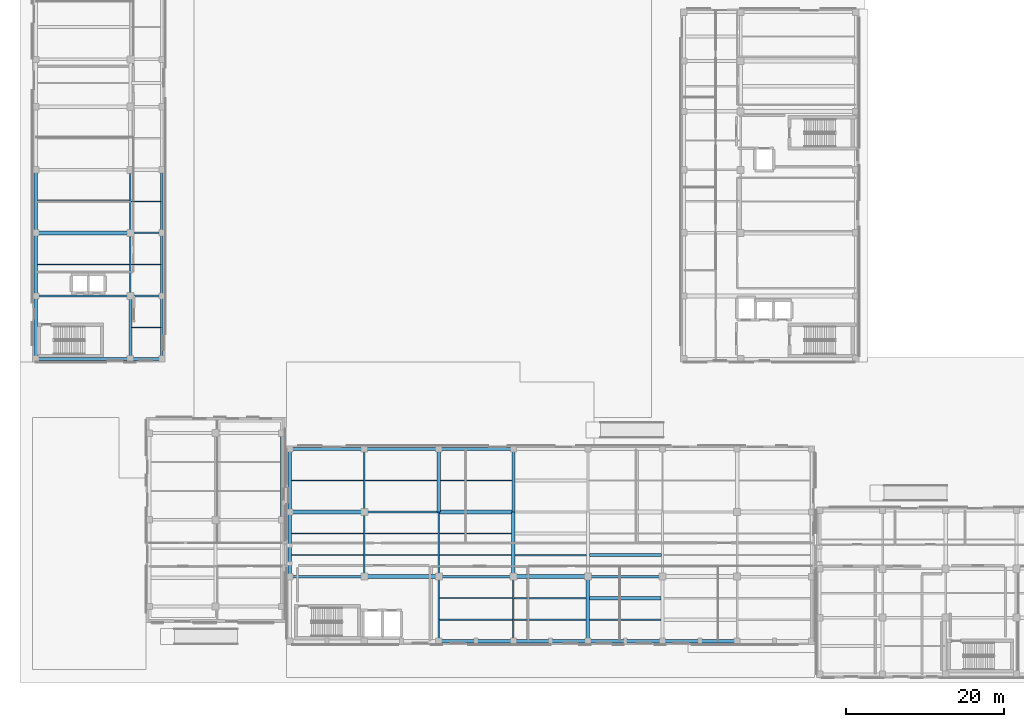
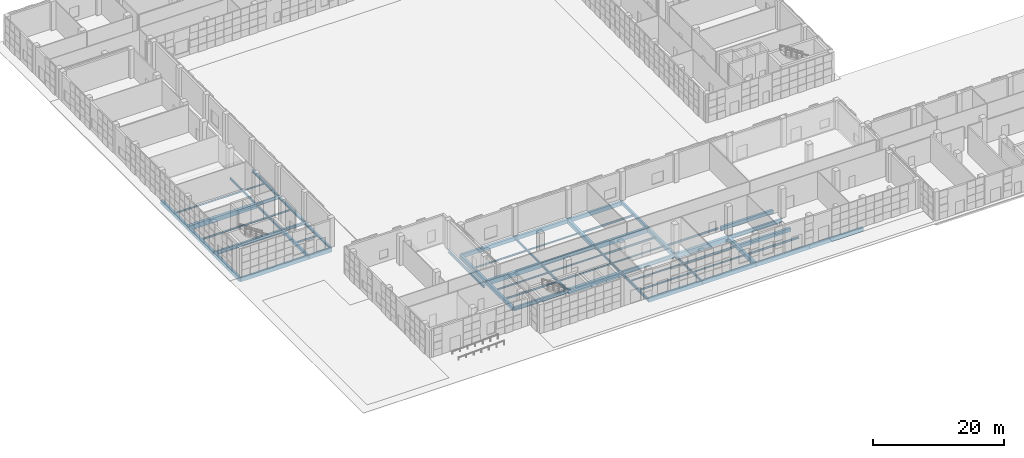
# One storey, part 2 of 40: 64 beams.
"""IFC4 building model written with IfcOpenShell, lengths in metres."""

import ifcopenshell
import ifcopenshell.guid

model = None  # the IFC model being written
_history = None  # IfcOwnerHistory: only IFC2X3 demands one
_inside = {}  # id of a spatial element -> (the spatial element, [elements in it])
_under = {}  # id of a project, library or spatial element -> (it, [spatial elements below it])
_declared = {}  # id of a project -> (the project, [libraries it declares])
_typed = {}  # id of a type object -> (the type object, [elements of that type])
_made_of = {}  # id of a material, layer set ... -> (it, [elements and type objects made of it])


def new_model(schema):
    """Start an empty IFC model of exactly this schema.

    Asked for "IFC4X3", IfcOpenShell would pick the latest addendum, in which some entities
    have other attributes; the version numbers below select the first issue.
    IFC2X3 requires an IfcOwnerHistory on every rooted entity: one is made here for all.
    """
    global model, _history
    if schema == "IFC4X3":
        model = ifcopenshell.file(schema_version=(4, 3, 0, 0))
    else:
        model = ifcopenshell.file(schema=schema)
    _inside.clear()
    _under.clear()
    _declared.clear()
    _typed.clear()
    _made_of.clear()
    _history = None
    if model.schema == "IFC2X3":
        org = make("IfcOrganization", Name="unknown")
        user = make(
            "IfcPersonAndOrganization",
            ThePerson=make("IfcPerson", FamilyName="unknown"),
            TheOrganization=org,
        )
        app = make(
            "IfcApplication",
            ApplicationDeveloper=org,
            Version="unknown",
            ApplicationFullName="unknown",
            ApplicationIdentifier="unknown",
        )
        _history = make(
            "IfcOwnerHistory",
            OwningUser=user,
            OwningApplication=app,
            ChangeAction="ADDED",
            CreationDate=0,
        )
    return model


def make(cls, **values):
    """One entity of the class cls with the attributes given. An attribute that is None is left unset."""
    return model.create_entity(
        cls, **{name: value for name, value in values.items() if value is not None}
    )


def rooted(cls, **values):
    """An entity with a GlobalId (a new one), such as an element, a storey or a relation."""
    return make(cls, GlobalId=ifcopenshell.guid.new(), OwnerHistory=_history, **values)


def si_unit(unit_type, name, prefix=None):
    """IfcSIUnit, for example si_unit("LENGTHUNIT", "METRE", prefix="MILLI")."""
    return make("IfcSIUnit", UnitType=unit_type, Prefix=prefix, Name=name)


def assignment(units):
    """IfcUnitAssignment: the units of a project."""
    return None if units is None else make("IfcUnitAssignment", Units=units)


def point(xyz):
    """IfcCartesianPoint."""
    return None if xyz is None else make("IfcCartesianPoint", Coordinates=xyz)


def direction(xyz):
    """IfcDirection."""
    return None if xyz is None else make("IfcDirection", DirectionRatios=xyz)


def frame(location, z_axis=None, x_axis=None):
    """IfcAxis2Placement3D, a coordinate frame: its origin and axes. An axis left out is left unset."""
    return make(
        "IfcAxis2Placement3D",
        Location=point(location),
        Axis=direction(z_axis),
        RefDirection=direction(x_axis),
    )


def frame_2d(location, x_axis=None):
    """IfcAxis2Placement2D, a coordinate frame in the plane: its origin and x axis."""
    return make(
        "IfcAxis2Placement2D", Location=point(location), RefDirection=direction(x_axis)
    )


def origin():
    """The frame at (0, 0, 0) with its axes left unset."""
    return frame((0.0, 0.0, 0.0))


def origin_2d():
    """The frame at (0, 0) in the plane with its x axis left unset."""
    return frame_2d((0.0, 0.0))


def place(relative_to, where):
    """IfcLocalPlacement: puts the frame where relative to a parent placement (None: the world)."""
    return make(
        "IfcLocalPlacement", PlacementRelTo=relative_to, RelativePlacement=where
    )


def context(
    kind, dimensions, precision=None, world=None, true_north=None, identifier=None
):
    """IfcGeometricRepresentationContext, for example the 3D "Model" context."""
    return make(
        "IfcGeometricRepresentationContext",
        ContextIdentifier=identifier,
        ContextType=kind,
        CoordinateSpaceDimension=dimensions,
        Precision=precision,
        WorldCoordinateSystem=world,
        TrueNorth=true_north,
    )


def subcontext(parent, identifier, kind, view, scale=None):
    """IfcGeometricRepresentationSubContext, for example "Body" below "Model"."""
    return make(
        "IfcGeometricRepresentationSubContext",
        ContextIdentifier=identifier,
        ContextType=kind,
        ParentContext=parent,
        TargetScale=scale,
        TargetView=view,
    )


def project(units=None, contexts=None):
    """IfcProject with its units and contexts."""
    return rooted(
        "IfcProject",
        Name="project",
        RepresentationContexts=contexts,
        UnitsInContext=assignment(units),
    )


def spatial(cls, under=None, at=None, **own):
    """A site, building, storey or space (cls), placed at a placement, below another one or the project."""
    s = rooted(cls, ObjectPlacement=at, **own)
    if under is not None:
        _under.setdefault(under.id(), (under, []))[1].append(s)
    return s


def profile(cls, at=None, kind="AREA", **sizes):
    """A parametric profile (cls). Its sizes go by their IFC names, for example OverallWidth=200.0."""
    return make(cls, ProfileType=kind, Position=at, **sizes)


def rectangle(**sizes):
    """IfcRectangleProfileDef."""
    return profile("IfcRectangleProfileDef", **sizes)


def i_section(**sizes):
    """IfcIShapeProfileDef."""
    return profile("IfcIShapeProfileDef", **sizes)


def extrude(swept, where, along, depth):
    """IfcExtrudedAreaSolid: the profile swept, set in the frame where, extruded along a direction by depth."""
    return make(
        "IfcExtrudedAreaSolid",
        SweptArea=swept,
        Position=where,
        ExtrudedDirection=direction(along),
        Depth=depth,
    )


def shape(context_of_items, identifier, shape_type, items):
    """IfcShapeRepresentation: the items that make up one representation, for example the "Body"."""
    return make(
        "IfcShapeRepresentation",
        ContextOfItems=context_of_items,
        RepresentationIdentifier=identifier,
        RepresentationType=shape_type,
        Items=items,
    )


def material(Name=None, Category=None):
    """IfcMaterial."""
    return make("IfcMaterial", Name=Name, Category=Category)


def material_profile(
    of_material, cross_section, Name=None, Category=None, Priority=None
):
    """IfcMaterialProfile: a cross section and its material."""
    return make(
        "IfcMaterialProfile",
        Name=Name,
        Material=of_material,
        Profile=cross_section,
        Priority=Priority,
        Category=Category,
    )


def profile_set(profiles, Name=None, composite=None):
    """IfcMaterialProfileSet."""
    return make(
        "IfcMaterialProfileSet",
        Name=Name,
        MaterialProfiles=profiles,
        CompositeProfile=composite,
    )


def made_of(thing, what):
    """Note that an element or type object is made of a material, layer set ...; save() writes the relation."""
    if what is not None:
        _made_of.setdefault(what.id(), (what, []))[1].append(thing)
    return thing


def type_object(cls, material=None, **own):
    """A type object (cls), such as IfcWallType, which elements share."""
    return made_of(rooted(cls, **own), material)


def element(
    cls,
    number,
    at=None,
    inside=None,
    cuts=None,
    type_object=None,
    material=None,
    context=None,
    identifier="Body",
    shape_type=None,
    held_by="IfcProductDefinitionShape",
    body=None,
    shapes=None,
    **own,
):
    """One element of the class cls, such as IfcWall. Its Tag is "e" and its number.

    at: its placement. inside: the storey or other place that contains it. cuts: it is an
    opening in that element (IfcRelVoidsElement). A single representation is given by context,
    identifier, shape_type and body (its items); several are given by shapes. held_by: the class
    of the entity that holds the representations. save() writes the other relations.
    """
    e = rooted(cls, Tag="e%d" % number, ObjectPlacement=at, **own)
    if body is not None:
        shapes = [shape(context, identifier, shape_type, body)]
    if shapes is not None:
        e.Representation = make(held_by, Representations=shapes)
    if inside is not None:
        _inside.setdefault(inside.id(), (inside, []))[1].append(e)
    if cuts is not None:
        rooted(
            "IfcRelVoidsElement", RelatingBuildingElement=cuts, RelatedOpeningElement=e
        )
    if type_object is not None:
        _typed.setdefault(type_object.id(), (type_object, []))[1].append(e)
    return made_of(e, material)


def aggregate(whole, parts):
    """IfcRelAggregates: a whole, such as a stair, and the parts it consists of."""
    return rooted("IfcRelAggregates", RelatingObject=whole, RelatedObjects=parts)


def save(model, path):
    """Write the relations noted so far, then the file.

    IfcRelAggregates (storeys below a building ...), IfcRelContainedInSpatialStructure (elements
    in a storey), IfcRelDefinesByType, IfcRelAssociatesMaterial and IfcRelDeclares: one each for
    every whole, place, type object, material and project.
    """
    for whole, parts in _under.values():
        aggregate(whole, parts)
    for where, things in _inside.values():
        rooted(
            "IfcRelContainedInSpatialStructure",
            RelatedElements=things,
            RelatingStructure=where,
        )
    for kind, things in _typed.values():
        rooted("IfcRelDefinesByType", RelatedObjects=things, RelatingType=kind)
    for what, things in _made_of.values():
        rooted("IfcRelAssociatesMaterial", RelatedObjects=things, RelatingMaterial=what)
    for by, libraries in _declared.values():
        rooted("IfcRelDeclares", RelatingContext=by, RelatedDefinitions=libraries)
    model.write(path)


model = new_model("IFC4")

# Units and contexts
model_context = context("Model", 3, precision=1e-05, world=origin(), true_north=direction((0.0, 1.0)))
body_context = subcontext(model_context, "Body", "Model", "MODEL_VIEW")
ifc_project = project(units=[si_unit("LENGTHUNIT", "METRE"), si_unit("AREAUNIT", "SQUARE_METRE"), si_unit("VOLUMEUNIT", "CUBIC_METRE"), si_unit("PLANEANGLEUNIT", "RADIAN"), si_unit("MASSUNIT", "GRAM", prefix="KILO")], contexts=[model_context])

# Site, building, storey
site_placement = place(None, origin())
site = spatial("IfcSite", under=ifc_project, at=site_placement, CompositionType="ELEMENT")
building_placement = place(site_placement, origin())
building = spatial("IfcBuilding", under=site, at=building_placement, Name="Qalavern Law Courts", CompositionType="ELEMENT")
storey_placement = place(building_placement, origin())
storey = spatial("IfcBuildingStorey", under=building, at=storey_placement, Name="L00", CompositionType="ELEMENT", Elevation=0.0)

# Beams
ifc_material_1 = material(Name="Steel S355", Category="steel")
ifc_material_profile_1 = material_profile(ifc_material_1, i_section(OverallWidth=0.300048828125, OverallDepth=0.489990234375, WebThickness=0.011962890625, FlangeThickness=0.02294921875, FilletRadius=0.027099609375, at=origin_2d()), Name="HEA 500")
ifc_profile_set_1 = profile_set([ifc_material_profile_1], Name="Steel S355")
beam_type_1 = type_object("IfcBeamType", Name="STR-BM-HEA500", PredefinedType="BEAM", material=ifc_profile_set_1)
beam_1_placement = place(storey_placement, frame((14.39990234375, 49.39990234375, -0.5849609375), z_axis=(1.0, 0.0, 0.0), x_axis=(0.0, 1.0, 0.0)))
element("IfcBeam", 1, at=beam_1_placement, inside=storey, type_object=beam_type_1, Name="V3 X-beam 2-2 L00", PredefinedType="BEAM", context=body_context, shape_type="SweptSolid", body=[
    extrude(i_section(OverallWidth=0.300048828125, OverallDepth=0.489990234375, WebThickness=0.011962890625, FlangeThickness=0.02294921875, FilletRadius=0.027099609375, at=origin_2d()), origin(), (0.0, 0.0, 1.0), 4.0),
])
ifc_material_profile_2 = material_profile(ifc_material_1, i_section(OverallWidth=0.300048828125, OverallDepth=0.699951171875, WebThickness=0.01708984375, FlangeThickness=0.031982421875, FilletRadius=0.027099609375, at=origin_2d()), Name="HEB 700")
ifc_profile_set_2 = profile_set([ifc_material_profile_2], Name="Steel S355")
beam_type_2 = type_object("IfcBeamType", Name="STR-BM-HEB700", PredefinedType="BEAM", material=ifc_profile_set_2)
beam_2_placement = place(storey_placement, frame((34.6201171875, 13.800048828125, -0.68994140625), z_axis=(1.0, 0.0, 0.0), x_axis=(0.0, 1.0, 0.0)))
element("IfcBeam", 2, at=beam_2_placement, inside=storey, type_object=beam_type_2, Name="V2 X-beam 2-1 L00", PredefinedType="BEAM", context=body_context, shape_type="SweptSolid", body=[
    extrude(i_section(OverallWidth=0.300048828125, OverallDepth=0.699951171875, WebThickness=0.01708984375, FlangeThickness=0.031982421875, FilletRadius=0.027099609375, at=origin_2d()), origin(), (0.0, 0.0, 1.0), 9.4541015625),
])
for number, where, z_axis, x_axis, name in (
    (3, (53.528564453125, 13.800048828125, -0.68994140625), (1.0, 0.0, 0.0), (0.0, 1.0, 0.0), "V2 X-beam 2-3 L00"),
    (4, (72.43701171875, 13.800048828125, -0.68994140625), (1.0, 0.0, 0.0), (0.0, 1.0, 0.0), "V2 X-beam 2-5 L00"),
    (5, (44.07421875, 22.0, -0.68994140625), (1.0, 0.0, 0.0), (0.0, 1.0, 0.0), "V2 X-beam 3-2 L00"),
):
    element("IfcBeam", number, at=place(storey_placement, frame(where, z_axis=z_axis, x_axis=x_axis)), inside=storey, type_object=beam_type_2, Name=name, PredefinedType="BEAM", context=body_context, shape_type="SweptSolid", body=[
        extrude(i_section(OverallWidth=0.300048828125, OverallDepth=0.699951171875, WebThickness=0.01708984375, FlangeThickness=0.031982421875, FilletRadius=0.027099609375, at=origin_2d()), origin(), (0.0, 0.0, 1.0), 9.454345703125),
    ])
beam_3_placement = place(storey_placement, frame((2.39990234375, 49.39990234375, -0.68994140625), z_axis=(1.0, 0.0, 0.0), x_axis=(0.0, 1.0, 0.0)))
element("IfcBeam", 6, at=beam_3_placement, inside=storey, type_object=beam_type_2, Name="V3 X-beam 2-1 L00", PredefinedType="BEAM", context=body_context, shape_type="SweptSolid", body=[
    extrude(i_section(OverallWidth=0.300048828125, OverallDepth=0.699951171875, WebThickness=0.01708984375, FlangeThickness=0.031982421875, FilletRadius=0.027099609375, at=origin_2d()), origin(), (0.0, 0.0, 1.0), 12.0),
])
ifc_material_profile_3 = material_profile(ifc_material_1, i_section(OverallWidth=0.179931640625, OverallDepth=0.39990234375, WebThickness=0.008544921875, FlangeThickness=0.013427734375, FilletRadius=0.02099609375, at=origin_2d()), Name="IPE 400")
ifc_profile_set_3 = profile_set([ifc_material_profile_3], Name="Steel S355")
beam_type_3 = type_object("IfcBeamType", Name="STR-BM-IPE400", PredefinedType="BEAM", material=ifc_profile_set_3)
beam_4_placement = place(storey_placement, frame((44.07421875, 22.0, -0.5400390625), z_axis=(0.0, 1.0, 0.0), x_axis=(-1.0, 0.0, 0.0)))
element("IfcBeam", 7, at=beam_4_placement, inside=storey, type_object=beam_type_3, Name="V2 Y-beam 2-3 L00", PredefinedType="BEAM", context=body_context, shape_type="SweptSolid", body=[
    extrude(i_section(OverallWidth=0.179931640625, OverallDepth=0.39990234375, WebThickness=0.008544921875, FlangeThickness=0.013427734375, FilletRadius=0.02099609375, at=origin_2d()), origin(), (0.0, 0.0, 1.0), 8.0),
])
for number, where, z_axis, x_axis, name in (
    (8, (53.528564453125, 13.800048828125, -0.5400390625), (0.0, 1.0, 0.0), (-1.0, 0.0, 0.0), "V2 Y-beam 3-2 L00"),
    (9, (62.98291015625, 5.60009765625, -0.5400390625), (0.0, 1.0, 0.0), (-1.0, 0.0, 0.0), "V2 Y-beam 4-1 L00"),
):
    element("IfcBeam", number, at=place(storey_placement, frame(where, z_axis=z_axis, x_axis=x_axis)), inside=storey, type_object=beam_type_3, Name=name, PredefinedType="BEAM", context=body_context, shape_type="SweptSolid", body=[
        extrude(i_section(OverallWidth=0.179931640625, OverallDepth=0.39990234375, WebThickness=0.008544921875, FlangeThickness=0.013427734375, FilletRadius=0.02099609375, at=origin_2d()), origin(), (0.0, 0.0, 1.0), 8.199951171875),
    ])
beam_5_placement = place(storey_placement, frame((14.39990234375, 57.39990234375, -0.5400390625), z_axis=(0.0, 1.0, 0.0), x_axis=(-1.0, 0.0, 0.0)))
element("IfcBeam", 10, at=beam_5_placement, inside=storey, type_object=beam_type_3, Name="V3 Y-beam 2-3 L00", PredefinedType="BEAM", context=body_context, shape_type="SweptSolid", body=[
    extrude(i_section(OverallWidth=0.179931640625, OverallDepth=0.39990234375, WebThickness=0.008544921875, FlangeThickness=0.013427734375, FilletRadius=0.02099609375, at=origin_2d()), origin(), (0.0, 0.0, 1.0), 8.0),
])
ifc_material_profile_4 = material_profile(ifc_material_1, i_section(OverallWidth=0.199951171875, OverallDepth=0.5, WebThickness=0.01025390625, FlangeThickness=0.01611328125, FilletRadius=0.02099609375, at=origin_2d()), Name="IPE 500")
ifc_profile_set_4 = profile_set([ifc_material_profile_4], Name="Steel S355")
beam_type_4 = type_object("IfcBeamType", Name="STR-BM-IPE500", PredefinedType="BEAM", material=ifc_profile_set_4)
for number, where, z_axis, x_axis, name in (
    (11, (44.07421875, 13.800048828125, -0.590087890625), (0.0, 1.0, 0.0), (-1.0, 0.0, 0.0), "V2 Y-beam 2-2 L00"),
    (12, (53.528564453125, 5.60009765625, -0.590087890625), (0.0, 1.0, 0.0), (-1.0, 0.0, 0.0), "V2 Y-beam 3-1 L00"),
):
    element("IfcBeam", number, at=place(storey_placement, frame(where, z_axis=z_axis, x_axis=x_axis)), inside=storey, type_object=beam_type_4, Name=name, PredefinedType="BEAM", context=body_context, shape_type="SweptSolid", body=[
        extrude(i_section(OverallWidth=0.199951171875, OverallDepth=0.5, WebThickness=0.01025390625, FlangeThickness=0.01611328125, FilletRadius=0.02099609375, at=origin_2d()), origin(), (0.0, 0.0, 1.0), 8.199951171875),
    ])
beam_6_placement = place(storey_placement, frame((14.39990234375, 49.39990234375, -0.590087890625), z_axis=(0.0, 1.0, 0.0), x_axis=(-1.0, 0.0, 0.0)))
element("IfcBeam", 13, at=beam_6_placement, inside=storey, type_object=beam_type_4, Name="V3 Y-beam 2-2 L00", PredefinedType="BEAM", context=body_context, shape_type="SweptSolid", body=[
    extrude(i_section(OverallWidth=0.199951171875, OverallDepth=0.5, WebThickness=0.01025390625, FlangeThickness=0.01611328125, FilletRadius=0.02099609375, at=origin_2d()), origin(), (0.0, 0.0, 1.0), 8.0),
])
ifc_material_profile_5 = material_profile(ifc_material_1, i_section(OverallWidth=0.219970703125, OverallDepth=0.60009765625, WebThickness=0.011962890625, FlangeThickness=0.01904296875, FilletRadius=0.02392578125, at=origin_2d()), Name="IPE 600")
ifc_profile_set_5 = profile_set([ifc_material_profile_5], Name="Steel S355")
beam_type_5 = type_object("IfcBeamType", Name="STR-BM-IPE600", PredefinedType="BEAM", material=ifc_profile_set_5)
beam_7_placement = place(storey_placement, frame((14.39990234375, 57.39990234375, -0.639892578125), z_axis=(1.0, 0.0, 0.0), x_axis=(0.0, 1.0, 0.0)))
element("IfcBeam", 14, at=beam_7_placement, inside=storey, type_object=beam_type_5, Name="V3 X-beam 3-2 L00", PredefinedType="BEAM", context=body_context, shape_type="SweptSolid", body=[
    extrude(i_section(OverallWidth=0.219970703125, OverallDepth=0.60009765625, WebThickness=0.011962890625, FlangeThickness=0.01904296875, FilletRadius=0.02392578125, at=origin_2d()), origin(), (0.0, 0.0, 1.0), 4.0),
])
ifc_material_2 = material(Name="Concrete C35/45", Category="concrete")
ifc_material_profile_6 = material_profile(ifc_material_2, rectangle(XDim=0.35009765625, YDim=0.550048828125, at=origin_2d()), Name="RC 350x550")
ifc_profile_set_6 = profile_set([ifc_material_profile_6], Name="Concrete C35/45")
beam_type_6 = type_object("IfcBeamType", Name="STR-BM-RC350x550", PredefinedType="BEAM", material=ifc_profile_set_6)
beam_8_placement = place(storey_placement, frame((62.98291015625, 22.0, -0.614990234375), z_axis=(0.0, 1.0, 0.0), x_axis=(-1.0, 0.0, 0.0)))
element("IfcBeam", 15, at=beam_8_placement, inside=storey, type_object=beam_type_6, Name="V2 Y-beam 4-3 L00", PredefinedType="BEAM", context=body_context, shape_type="SweptSolid", body=[
    extrude(rectangle(XDim=0.35009765625, YDim=0.550048828125, at=origin_2d()), origin(), (0.0, 0.0, 1.0), 8.0),
])
beam_9_placement = place(storey_placement, frame((14.39990234375, 41.419921875, -0.614990234375), z_axis=(0.0, 1.0, 0.0), x_axis=(-1.0, 0.0, 0.0)))
element("IfcBeam", 16, at=beam_9_placement, inside=storey, type_object=beam_type_6, Name="V3 Y-beam 2-1 L00", PredefinedType="BEAM", context=body_context, shape_type="SweptSolid", body=[
    extrude(rectangle(XDim=0.35009765625, YDim=0.550048828125, at=origin_2d()), origin(), (0.0, 0.0, 1.0), 7.97998046875),
])
ifc_material_3 = material(Name="Concrete C40/50", Category="concrete")
ifc_material_profile_7 = material_profile(ifc_material_3, rectangle(XDim=0.449951171875, YDim=0.75, at=origin_2d()), Name="RC 450x750")
ifc_profile_set_7 = profile_set([ifc_material_profile_7], Name="Concrete C40/50")
beam_type_7 = type_object("IfcBeamType", Name="STR-BM-RC450x750", PredefinedType="BEAM", material=ifc_profile_set_7)
beam_10_placement = place(storey_placement, frame((53.528564453125, 22.0, -0.715087890625), z_axis=(0.0, 1.0, 0.0), x_axis=(-1.0, 0.0, 0.0)))
element("IfcBeam", 17, at=beam_10_placement, inside=storey, type_object=beam_type_7, Name="V2 Y-beam 3-3 L00", PredefinedType="BEAM", context=body_context, shape_type="SweptSolid", body=[
    extrude(rectangle(XDim=0.449951171875, YDim=0.75, at=origin_2d()), origin(), (0.0, 0.0, 1.0), 8.0),
])
for number, where, z_axis, x_axis, name in (
    (18, (62.98291015625, 13.800048828125, -0.715087890625), (0.0, 1.0, 0.0), (-1.0, 0.0, 0.0), "V2 Y-beam 4-2 L00"),
    (19, (72.43701171875, 5.60009765625, -0.715087890625), (0.0, 1.0, 0.0), (-1.0, 0.0, 0.0), "V2 Y-beam 5-1 L00"),
):
    element("IfcBeam", number, at=place(storey_placement, frame(where, z_axis=z_axis, x_axis=x_axis)), inside=storey, type_object=beam_type_7, Name=name, PredefinedType="BEAM", context=body_context, shape_type="SweptSolid", body=[
        extrude(rectangle(XDim=0.449951171875, YDim=0.75, at=origin_2d()), origin(), (0.0, 0.0, 1.0), 8.199951171875),
    ])
ifc_material_profile_8 = material_profile(ifc_material_3, rectangle(XDim=0.5, YDim=0.85009765625, at=origin_2d()), Name="RC 500x850")
ifc_profile_set_8 = profile_set([ifc_material_profile_8], Name="Concrete C40/50")
beam_type_8 = type_object("IfcBeamType", Name="STR-BM-RC500x850", PredefinedType="BEAM", material=ifc_profile_set_8)
beam_11_placement = place(storey_placement, frame((44.07421875, 13.800048828125, -0.764892578125), z_axis=(1.0, 0.0, 0.0), x_axis=(0.0, 1.0, 0.0)))
element("IfcBeam", 20, at=beam_11_placement, inside=storey, type_object=beam_type_8, Name="V2 X-beam 2-2 L00", PredefinedType="BEAM", context=body_context, shape_type="SweptSolid", body=[
    extrude(rectangle(XDim=0.5, YDim=0.85009765625, at=origin_2d()), origin(), (0.0, 0.0, 1.0), 9.454345703125),
])
for number, where, z_axis, x_axis, name in (
    (21, (62.98291015625, 13.800048828125, -0.764892578125), (1.0, 0.0, 0.0), (0.0, 1.0, 0.0), "V2 X-beam 2-4 L00"),
    (22, (34.6201171875, 22.0, -0.764892578125), (1.0, 0.0, 0.0), (0.0, 1.0, 0.0), "V2 X-beam 3-1 L00"),
):
    element("IfcBeam", number, at=place(storey_placement, frame(where, z_axis=z_axis, x_axis=x_axis)), inside=storey, type_object=beam_type_8, Name=name, PredefinedType="BEAM", context=body_context, shape_type="SweptSolid", body=[
        extrude(rectangle(XDim=0.5, YDim=0.85009765625, at=origin_2d()), origin(), (0.0, 0.0, 1.0), 9.4541015625),
    ])
beam_12_placement = place(storey_placement, frame((53.528564453125, 22.0, -0.764892578125), z_axis=(1.0, 0.0, 0.0), x_axis=(0.0, 1.0, 0.0)))
element("IfcBeam", 23, at=beam_12_placement, inside=storey, type_object=beam_type_8, Name="V2 X-beam 3-3 L00", PredefinedType="BEAM", context=body_context, shape_type="SweptSolid", body=[
    extrude(rectangle(XDim=0.5, YDim=0.85009765625, at=origin_2d()), origin(), (0.0, 0.0, 1.0), 9.454345703125),
])
beam_13_placement = place(storey_placement, frame((2.39990234375, 57.39990234375, -0.764892578125), z_axis=(1.0, 0.0, 0.0), x_axis=(0.0, 1.0, 0.0)))
element("IfcBeam", 24, at=beam_13_placement, inside=storey, type_object=beam_type_8, Name="V3 X-beam 3-1 L00", PredefinedType="BEAM", context=body_context, shape_type="SweptSolid", body=[
    extrude(rectangle(XDim=0.5, YDim=0.85009765625, at=origin_2d()), origin(), (0.0, 0.0, 1.0), 12.0),
])
ifc_material_profile_9 = material_profile(ifc_material_1, i_section(OverallWidth=0.135009765625, OverallDepth=0.27001953125, WebThickness=0.006591796875, FlangeThickness=0.01025390625, FilletRadius=0.014892578125, at=origin_2d()), Name="IPE 270")
ifc_profile_set_9 = profile_set([ifc_material_profile_9], Name="Steel S355")
beam_type_9 = type_object("IfcBeamType", Name="STR-JST-IPE270", PredefinedType="JOIST", material=ifc_profile_set_9)
beam_14_placement = place(storey_placement, frame((44.17236328125, 19.2666015625, -0.47509765625), z_axis=(1.0, 0.0, 0.0), x_axis=(0.0, 1.0, 0.0)))
element("IfcBeam", 25, at=beam_14_placement, inside=storey, type_object=beam_type_9, Name="V2 secondary joist 2.2.2 L00", PredefinedType="JOIST", context=body_context, shape_type="SweptSolid", body=[
    extrude(i_section(OverallWidth=0.135009765625, OverallDepth=0.27001953125, WebThickness=0.006591796875, FlangeThickness=0.01025390625, FilletRadius=0.014892578125, at=origin_2d()), origin(), (0.0, 0.0, 1.0), 9.268310546875),
])
beam_15_placement = place(storey_placement, frame((44.162353515625, 26.0, -0.47509765625), z_axis=(1.0, 0.0, 0.0), x_axis=(0.0, 1.0, 0.0)))
element("IfcBeam", 26, at=beam_15_placement, inside=storey, type_object=beam_type_9, Name="V2 secondary joist 2.3.1 L00", PredefinedType="JOIST", context=body_context, shape_type="SweptSolid", body=[
    extrude(i_section(OverallWidth=0.135009765625, OverallDepth=0.27001953125, WebThickness=0.006591796875, FlangeThickness=0.01025390625, FilletRadius=0.014892578125, at=origin_2d()), origin(), (0.0, 0.0, 1.0), 9.143310546875),
])
beam_16_placement = place(storey_placement, frame((53.626708984375, 11.066650390625, -0.47509765625), z_axis=(1.0, 0.0, 0.0), x_axis=(0.0, 1.0, 0.0)))
element("IfcBeam", 27, at=beam_16_placement, inside=storey, type_object=beam_type_9, Name="V2 secondary joist 3.1.2 L00", PredefinedType="JOIST", context=body_context, shape_type="SweptSolid", body=[
    extrude(i_section(OverallWidth=0.135009765625, OverallDepth=0.27001953125, WebThickness=0.006591796875, FlangeThickness=0.01025390625, FilletRadius=0.014892578125, at=origin_2d()), origin(), (0.0, 0.0, 1.0), 9.268310546875),
])
for number, where, z_axis, x_axis, name in (
    (28, (53.61669921875, 16.533203125, -0.47509765625), (1.0, 0.0, 0.0), (0.0, 1.0, 0.0), "V2 secondary joist 3.2.1 L00"),
    (29, (63.07080078125, 8.333251953125, -0.47509765625), (1.0, 0.0, 0.0), (0.0, 1.0, 0.0), "V2 secondary joist 4.1.1 L00"),
):
    element("IfcBeam", number, at=place(storey_placement, frame(where, z_axis=z_axis, x_axis=x_axis)), inside=storey, type_object=beam_type_9, Name=name, PredefinedType="JOIST", context=body_context, shape_type="SweptSolid", body=[
        extrude(i_section(OverallWidth=0.135009765625, OverallDepth=0.27001953125, WebThickness=0.006591796875, FlangeThickness=0.01025390625, FilletRadius=0.014892578125, at=origin_2d()), origin(), (0.0, 0.0, 1.0), 9.143310546875),
    ])
beam_17_placement = place(storey_placement, frame((14.488037109375, 61.39990234375, -0.47509765625), z_axis=(1.0, 0.0, 0.0), x_axis=(0.0, 1.0, 0.0)))
element("IfcBeam", 30, at=beam_17_placement, inside=storey, type_object=beam_type_9, Name="V3 secondary joist 2.3.1 L00", PredefinedType="JOIST", context=body_context, shape_type="SweptSolid", body=[
    extrude(i_section(OverallWidth=0.135009765625, OverallDepth=0.27001953125, WebThickness=0.006591796875, FlangeThickness=0.01025390625, FilletRadius=0.014892578125, at=origin_2d()), origin(), (0.0, 0.0, 1.0), 3.763916015625),
])
ifc_material_profile_10 = material_profile(ifc_material_1, i_section(OverallWidth=0.14990234375, OverallDepth=0.300048828125, WebThickness=0.007080078125, FlangeThickness=0.0107421875, FilletRadius=0.014892578125, at=origin_2d()), Name="IPE 300")
ifc_profile_set_10 = profile_set([ifc_material_profile_10], Name="Steel S355")
beam_type_10 = type_object("IfcBeamType", Name="STR-JST-IPE300", PredefinedType="JOIST", material=ifc_profile_set_10)
beam_18_placement = place(storey_placement, frame((34.818115234375, 19.2666015625, -0.489990234375), z_axis=(1.0, 0.0, 0.0), x_axis=(0.0, 1.0, 0.0)))
element("IfcBeam", 31, at=beam_18_placement, inside=storey, type_object=beam_type_10, Name="V2 secondary joist 1.2.2 L00", PredefinedType="JOIST", context=body_context, shape_type="SweptSolid", body=[
    extrude(i_section(OverallWidth=0.14990234375, OverallDepth=0.300048828125, WebThickness=0.007080078125, FlangeThickness=0.0107421875, FilletRadius=0.014892578125, at=origin_2d()), origin(), (0.0, 0.0, 1.0), 9.158203125),
])
beam_19_placement = place(storey_placement, frame((34.818115234375, 26.0, -0.489990234375), z_axis=(1.0, 0.0, 0.0), x_axis=(0.0, 1.0, 0.0)))
element("IfcBeam", 32, at=beam_19_placement, inside=storey, type_object=beam_type_10, Name="V2 secondary joist 1.3.1 L00", PredefinedType="JOIST", context=body_context, shape_type="SweptSolid", body=[
    extrude(i_section(OverallWidth=0.14990234375, OverallDepth=0.300048828125, WebThickness=0.007080078125, FlangeThickness=0.0107421875, FilletRadius=0.014892578125, at=origin_2d()), origin(), (0.0, 0.0, 1.0), 9.168212890625),
])
for number, where, z_axis, x_axis, name in (
    (33, (44.17236328125, 16.533203125, -0.489990234375), (1.0, 0.0, 0.0), (0.0, 1.0, 0.0), "V2 secondary joist 2.2.1 L00"),
    (34, (53.626708984375, 8.333251953125, -0.489990234375), (1.0, 0.0, 0.0), (0.0, 1.0, 0.0), "V2 secondary joist 3.1.1 L00"),
):
    element("IfcBeam", number, at=place(storey_placement, frame(where, z_axis=z_axis, x_axis=x_axis)), inside=storey, type_object=beam_type_10, Name=name, PredefinedType="JOIST", context=body_context, shape_type="SweptSolid", body=[
        extrude(i_section(OverallWidth=0.14990234375, OverallDepth=0.300048828125, WebThickness=0.007080078125, FlangeThickness=0.0107421875, FilletRadius=0.014892578125, at=origin_2d()), origin(), (0.0, 0.0, 1.0), 9.268310546875),
    ])
beam_20_placement = place(storey_placement, frame((2.597900390625, 61.39990234375, -0.489990234375), z_axis=(1.0, 0.0, 0.0), x_axis=(0.0, 1.0, 0.0)))
element("IfcBeam", 35, at=beam_20_placement, inside=storey, type_object=beam_type_10, Name="V3 secondary joist 1.3.1 L00", PredefinedType="JOIST", context=body_context, shape_type="SweptSolid", body=[
    extrude(i_section(OverallWidth=0.14990234375, OverallDepth=0.300048828125, WebThickness=0.007080078125, FlangeThickness=0.0107421875, FilletRadius=0.014892578125, at=origin_2d()), origin(), (0.0, 0.0, 1.0), 11.714111328125),
])
beam_21_placement = place(storey_placement, frame((14.498046875, 53.39990234375, -0.489990234375), z_axis=(1.0, 0.0, 0.0), x_axis=(0.0, 1.0, 0.0)))
element("IfcBeam", 36, at=beam_21_placement, inside=storey, type_object=beam_type_10, Name="V3 secondary joist 2.2.1 L00", PredefinedType="JOIST", context=body_context, shape_type="SweptSolid", body=[
    extrude(i_section(OverallWidth=0.14990234375, OverallDepth=0.300048828125, WebThickness=0.007080078125, FlangeThickness=0.0107421875, FilletRadius=0.014892578125, at=origin_2d()), origin(), (0.0, 0.0, 1.0), 3.75390625),
])
ifc_material_profile_11 = material_profile(ifc_material_1, i_section(OverallWidth=0.159912109375, OverallDepth=0.330078125, WebThickness=0.007568359375, FlangeThickness=0.011474609375, FilletRadius=0.01806640625, at=origin_2d()), Name="IPE 330")
ifc_profile_set_11 = profile_set([ifc_material_profile_11], Name="Steel S355")
beam_type_11 = type_object("IfcBeamType", Name="STR-JST-IPE330", PredefinedType="JOIST", material=ifc_profile_set_11)
beam_22_placement = place(storey_placement, frame((34.818115234375, 16.533203125, -0.5048828125), z_axis=(1.0, 0.0, 0.0), x_axis=(0.0, 1.0, 0.0)))
element("IfcBeam", 37, at=beam_22_placement, inside=storey, type_object=beam_type_11, Name="V2 secondary joist 1.2.1 L00", PredefinedType="JOIST", context=body_context, shape_type="SweptSolid", body=[
    extrude(i_section(OverallWidth=0.159912109375, OverallDepth=0.330078125, WebThickness=0.007568359375, FlangeThickness=0.011474609375, FilletRadius=0.01806640625, at=origin_2d()), origin(), (0.0, 0.0, 1.0), 9.158203125),
])
beam_23_placement = place(storey_placement, frame((2.597900390625, 53.39990234375, -0.5048828125), z_axis=(1.0, 0.0, 0.0), x_axis=(0.0, 1.0, 0.0)))
element("IfcBeam", 38, at=beam_23_placement, inside=storey, type_object=beam_type_11, Name="V3 secondary joist 1.2.1 L00", PredefinedType="JOIST", context=body_context, shape_type="SweptSolid", body=[
    extrude(i_section(OverallWidth=0.159912109375, OverallDepth=0.330078125, WebThickness=0.007568359375, FlangeThickness=0.011474609375, FilletRadius=0.01806640625, at=origin_2d()), origin(), (0.0, 0.0, 1.0), 11.7041015625),
])
beam_24_placement = place(storey_placement, frame((14.572998046875, 45.409912109375, -0.5048828125), z_axis=(1.0, 0.0, 0.0), x_axis=(0.0, 1.0, 0.0)))
element("IfcBeam", 39, at=beam_24_placement, inside=storey, type_object=beam_type_11, Name="V3 secondary joist 2.1.1 L00", PredefinedType="JOIST", context=body_context, shape_type="SweptSolid", body=[
    extrude(i_section(OverallWidth=0.159912109375, OverallDepth=0.330078125, WebThickness=0.007568359375, FlangeThickness=0.011474609375, FilletRadius=0.01806640625, at=origin_2d()), origin(), (0.0, 0.0, 1.0), 3.678955078125),
])
ifc_material_profile_12 = material_profile(ifc_material_1, i_section(OverallWidth=0.169921875, OverallDepth=0.360107421875, WebThickness=0.008056640625, FlangeThickness=0.0126953125, FilletRadius=0.01806640625, at=origin_2d()), Name="IPE 360")
ifc_profile_set_12 = profile_set([ifc_material_profile_12], Name="Steel S355")
beam_type_12 = type_object("IfcBeamType", Name="STR-JST-IPE360", PredefinedType="JOIST", material=ifc_profile_set_12)
beam_25_placement = place(storey_placement, frame((53.61669921875, 19.2666015625, -0.52001953125), z_axis=(1.0, 0.0, 0.0), x_axis=(0.0, 1.0, 0.0)))
element("IfcBeam", 40, at=beam_25_placement, inside=storey, type_object=beam_type_12, Name="V2 secondary joist 3.2.2 L00", PredefinedType="JOIST", context=body_context, shape_type="SweptSolid", body=[
    extrude(i_section(OverallWidth=0.169921875, OverallDepth=0.360107421875, WebThickness=0.008056640625, FlangeThickness=0.0126953125, FilletRadius=0.01806640625, at=origin_2d()), origin(), (0.0, 0.0, 1.0), 9.143310546875),
])
beam_26_placement = place(storey_placement, frame((53.751708984375, 26.0, -0.52001953125), z_axis=(1.0, 0.0, 0.0), x_axis=(0.0, 1.0, 0.0)))
element("IfcBeam", 41, at=beam_26_placement, inside=storey, type_object=beam_type_12, Name="V2 secondary joist 3.3.1 L00", PredefinedType="JOIST", context=body_context, shape_type="SweptSolid", body=[
    extrude(i_section(OverallWidth=0.169921875, OverallDepth=0.360107421875, WebThickness=0.008056640625, FlangeThickness=0.0126953125, FilletRadius=0.01806640625, at=origin_2d()), origin(), (0.0, 0.0, 1.0), 9.05810546875),
])
beam_27_placement = place(storey_placement, frame((63.07080078125, 11.066650390625, -0.52001953125), z_axis=(1.0, 0.0, 0.0), x_axis=(0.0, 1.0, 0.0)))
element("IfcBeam", 42, at=beam_27_placement, inside=storey, type_object=beam_type_12, Name="V2 secondary joist 4.1.2 L00", PredefinedType="JOIST", context=body_context, shape_type="SweptSolid", body=[
    extrude(i_section(OverallWidth=0.169921875, OverallDepth=0.360107421875, WebThickness=0.008056640625, FlangeThickness=0.0126953125, FilletRadius=0.01806640625, at=origin_2d()), origin(), (0.0, 0.0, 1.0), 9.143310546875),
])
for number, where, z_axis, x_axis, name in (
    (43, (63.205810546875, 16.533203125, -0.52001953125), (1.0, 0.0, 0.0), (0.0, 1.0, 0.0), "V2 secondary joist 4.2.1 L00"),
    (44, (72.66015625, 8.333251953125, -0.52001953125), (1.0, 0.0, 0.0), (0.0, 1.0, 0.0), "V2 secondary joist 5.1.1 L00"),
):
    element("IfcBeam", number, at=place(storey_placement, frame(where, z_axis=z_axis, x_axis=x_axis)), inside=storey, type_object=beam_type_12, Name=name, PredefinedType="JOIST", context=body_context, shape_type="SweptSolid", body=[
        extrude(i_section(OverallWidth=0.169921875, OverallDepth=0.360107421875, WebThickness=0.008056640625, FlangeThickness=0.0126953125, FilletRadius=0.01806640625, at=origin_2d()), origin(), (0.0, 0.0, 1.0), 9.058349609375),
    ])
ifc_material_profile_13 = material_profile(ifc_material_2, rectangle(XDim=0.39990234375, YDim=0.64990234375, at=origin_2d()), Name="RC 400x650")
ifc_profile_set_13 = profile_set([ifc_material_profile_13], Name="Concrete C35/45")
beam_type_13 = type_object("IfcBeamType", Name="STR-JST-RC400x650", PredefinedType="JOIST", material=ifc_profile_set_13)
beam_28_placement = place(storey_placement, frame((72.66015625, 11.066650390625, -0.6650390625), z_axis=(1.0, 0.0, 0.0), x_axis=(0.0, 1.0, 0.0)))
element("IfcBeam", 45, at=beam_28_placement, inside=storey, type_object=beam_type_13, Name="V2 secondary joist 5.1.2 L00", PredefinedType="JOIST", context=body_context, shape_type="SweptSolid", body=[
    extrude(rectangle(XDim=0.39990234375, YDim=0.64990234375, at=origin_2d()), origin(), (0.0, 0.0, 1.0), 9.058349609375),
])
beam_29_placement = place(storey_placement, frame((72.610107421875, 16.533203125, -0.6650390625), z_axis=(1.0, 0.0, 0.0), x_axis=(0.0, 1.0, 0.0)))
element("IfcBeam", 46, at=beam_29_placement, inside=storey, type_object=beam_type_13, Name="V2 secondary joist 5.2.1 L00", PredefinedType="JOIST", context=body_context, shape_type="SweptSolid", body=[
    extrude(rectangle(XDim=0.39990234375, YDim=0.64990234375, at=origin_2d()), origin(), (0.0, 0.0, 1.0), 9.183349609375),
])
ifc_material_profile_14 = material_profile(ifc_material_1, i_section(OverallWidth=0.300048828125, OverallDepth=0.449951171875, WebThickness=0.013916015625, FlangeThickness=0.02587890625, FilletRadius=0.027099609375, at=origin_2d()), Name="HEB 450")
ifc_profile_set_14 = profile_set([ifc_material_profile_14], Name="Steel S355")
beam_type_14 = type_object("IfcBeamType", Name="STR-SP-HEB450", PredefinedType="SPANDREL", material=ifc_profile_set_14)
beam_30_placement = place(storey_placement, frame((33.60009765625, 21.0, -0.56494140625), z_axis=(0.0, 1.0, 0.0), x_axis=(-1.0, 0.0, 0.0)))
element("IfcBeam", 47, at=beam_30_placement, inside=storey, type_object=beam_type_14, Name="V1 Y-beam 3-2 L00", PredefinedType="SPANDREL", context=body_context, shape_type="SweptSolid", body=[
    extrude(i_section(OverallWidth=0.300048828125, OverallDepth=0.449951171875, WebThickness=0.013916015625, FlangeThickness=0.02587890625, FilletRadius=0.027099609375, at=origin_2d()), origin(), (0.0, 0.0, 1.0), 11.0),
])
beam_31_placement = place(storey_placement, frame((18.39990234375, 41.419921875, -0.56494140625), z_axis=(0.0, 1.0, 0.0), x_axis=(-1.0, 0.0, 0.0)))
element("IfcBeam", 48, at=beam_31_placement, inside=storey, type_object=beam_type_14, Name="V3 Y-beam 3-1 L00", PredefinedType="SPANDREL", context=body_context, shape_type="SweptSolid", body=[
    extrude(i_section(OverallWidth=0.300048828125, OverallDepth=0.449951171875, WebThickness=0.013916015625, FlangeThickness=0.02587890625, FilletRadius=0.027099609375, at=origin_2d()), origin(), (0.0, 0.0, 1.0), 7.97998046875),
])
for number, where, z_axis, x_axis, name in (
    (49, (18.39990234375, 49.39990234375, -0.56494140625), (0.0, 1.0, 0.0), (-1.0, 0.0, 0.0), "V3 Y-beam 3-2 L00"),
    (50, (18.39990234375, 57.39990234375, -0.56494140625), (0.0, 1.0, 0.0), (-1.0, 0.0, 0.0), "V3 Y-beam 3-3 L00"),
):
    element("IfcBeam", number, at=place(storey_placement, frame(where, z_axis=z_axis, x_axis=x_axis)), inside=storey, type_object=beam_type_14, Name=name, PredefinedType="SPANDREL", context=body_context, shape_type="SweptSolid", body=[
        extrude(i_section(OverallWidth=0.300048828125, OverallDepth=0.449951171875, WebThickness=0.013916015625, FlangeThickness=0.02587890625, FilletRadius=0.027099609375, at=origin_2d()), origin(), (0.0, 0.0, 1.0), 8.0),
    ])
ifc_material_profile_15 = material_profile(ifc_material_3, rectangle(XDim=0.39990234375, YDim=0.699951171875, at=origin_2d()), Name="RC 400x700")
ifc_profile_set_15 = profile_set([ifc_material_profile_15], Name="Concrete C40/50")
beam_type_15 = type_object("IfcBeamType", Name="STR-SP-RC400x700", PredefinedType="SPANDREL", material=ifc_profile_set_15)
beam_32_placement = place(storey_placement, frame((53.528564453125, 5.60009765625, -0.68994140625), z_axis=(1.0, 0.0, 0.0), x_axis=(0.0, 1.0, 0.0)))
element("IfcBeam", 51, at=beam_32_placement, inside=storey, type_object=beam_type_15, Name="V2 X-beam 1-3 L00", PredefinedType="SPANDREL", context=body_context, shape_type="SweptSolid", body=[
    extrude(rectangle(XDim=0.39990234375, YDim=0.699951171875, at=origin_2d()), origin(), (0.0, 0.0, 1.0), 9.454345703125),
])
beam_33_placement = place(storey_placement, frame((62.98291015625, 5.60009765625, -0.68994140625), z_axis=(1.0, 0.0, 0.0), x_axis=(0.0, 1.0, 0.0)))
element("IfcBeam", 52, at=beam_33_placement, inside=storey, type_object=beam_type_15, Name="V2 X-beam 1-4 L00", PredefinedType="SPANDREL", context=body_context, shape_type="SweptSolid", body=[
    extrude(rectangle(XDim=0.39990234375, YDim=0.699951171875, at=origin_2d()), origin(), (0.0, 0.0, 1.0), 9.4541015625),
])
for number, where, z_axis, x_axis, name in (
    (53, (72.43701171875, 5.60009765625, -0.68994140625), (1.0, 0.0, 0.0), (0.0, 1.0, 0.0), "V2 X-beam 1-5 L00"),
    (54, (81.891357421875, 5.60009765625, -0.68994140625), (1.0, 0.0, 0.0), (0.0, 1.0, 0.0), "V2 X-beam 1-6 L00"),
):
    element("IfcBeam", number, at=place(storey_placement, frame(where, z_axis=z_axis, x_axis=x_axis)), inside=storey, type_object=beam_type_15, Name=name, PredefinedType="SPANDREL", context=body_context, shape_type="SweptSolid", body=[
        extrude(rectangle(XDim=0.39990234375, YDim=0.699951171875, at=origin_2d()), origin(), (0.0, 0.0, 1.0), 9.454345703125),
    ])
beam_34_placement = place(storey_placement, frame((34.6201171875, 30.0, -0.68994140625), z_axis=(1.0, 0.0, 0.0), x_axis=(0.0, 1.0, 0.0)))
element("IfcBeam", 55, at=beam_34_placement, inside=storey, type_object=beam_type_15, Name="V2 X-beam 4-1 L00", PredefinedType="SPANDREL", context=body_context, shape_type="SweptSolid", body=[
    extrude(rectangle(XDim=0.39990234375, YDim=0.699951171875, at=origin_2d()), origin(), (0.0, 0.0, 1.0), 9.4541015625),
])
for number, where, z_axis, x_axis, name in (
    (56, (44.07421875, 30.0, -0.68994140625), (1.0, 0.0, 0.0), (0.0, 1.0, 0.0), "V2 X-beam 4-2 L00"),
    (57, (53.528564453125, 30.0, -0.68994140625), (1.0, 0.0, 0.0), (0.0, 1.0, 0.0), "V2 X-beam 4-3 L00"),
):
    element("IfcBeam", number, at=place(storey_placement, frame(where, z_axis=z_axis, x_axis=x_axis)), inside=storey, type_object=beam_type_15, Name=name, PredefinedType="SPANDREL", context=body_context, shape_type="SweptSolid", body=[
        extrude(rectangle(XDim=0.39990234375, YDim=0.699951171875, at=origin_2d()), origin(), (0.0, 0.0, 1.0), 9.454345703125),
    ])
beam_35_placement = place(storey_placement, frame((34.6201171875, 13.800048828125, -0.68994140625), z_axis=(0.0, 1.0, 0.0), x_axis=(-1.0, 0.0, 0.0)))
element("IfcBeam", 58, at=beam_35_placement, inside=storey, type_object=beam_type_15, Name="V2 Y-beam 1-2 L00", PredefinedType="SPANDREL", context=body_context, shape_type="SweptSolid", body=[
    extrude(rectangle(XDim=0.39990234375, YDim=0.699951171875, at=origin_2d()), origin(), (0.0, 0.0, 1.0), 8.199951171875),
])
beam_36_placement = place(storey_placement, frame((34.6201171875, 22.0, -0.68994140625), z_axis=(0.0, 1.0, 0.0), x_axis=(-1.0, 0.0, 0.0)))
element("IfcBeam", 59, at=beam_36_placement, inside=storey, type_object=beam_type_15, Name="V2 Y-beam 1-3 L00", PredefinedType="SPANDREL", context=body_context, shape_type="SweptSolid", body=[
    extrude(rectangle(XDim=0.39990234375, YDim=0.699951171875, at=origin_2d()), origin(), (0.0, 0.0, 1.0), 8.0),
])
beam_37_placement = place(storey_placement, frame((2.39990234375, 41.419921875, -0.68994140625), z_axis=(1.0, 0.0, 0.0), x_axis=(0.0, 1.0, 0.0)))
element("IfcBeam", 60, at=beam_37_placement, inside=storey, type_object=beam_type_15, Name="V3 X-beam 1-1 L00", PredefinedType="SPANDREL", context=body_context, shape_type="SweptSolid", body=[
    extrude(rectangle(XDim=0.39990234375, YDim=0.699951171875, at=origin_2d()), origin(), (0.0, 0.0, 1.0), 12.0),
])
beam_38_placement = place(storey_placement, frame((14.39990234375, 41.419921875, -0.68994140625), z_axis=(1.0, 0.0, 0.0), x_axis=(0.0, 1.0, 0.0)))
element("IfcBeam", 61, at=beam_38_placement, inside=storey, type_object=beam_type_15, Name="V3 X-beam 1-2 L00", PredefinedType="SPANDREL", context=body_context, shape_type="SweptSolid", body=[
    extrude(rectangle(XDim=0.39990234375, YDim=0.699951171875, at=origin_2d()), origin(), (0.0, 0.0, 1.0), 4.0),
])
beam_39_placement = place(storey_placement, frame((2.39990234375, 41.419921875, -0.68994140625), z_axis=(0.0, 1.0, 0.0), x_axis=(-1.0, 0.0, 0.0)))
element("IfcBeam", 62, at=beam_39_placement, inside=storey, type_object=beam_type_15, Name="V3 Y-beam 1-1 L00", PredefinedType="SPANDREL", context=body_context, shape_type="SweptSolid", body=[
    extrude(rectangle(XDim=0.39990234375, YDim=0.699951171875, at=origin_2d()), origin(), (0.0, 0.0, 1.0), 7.97998046875),
])
for number, where, z_axis, x_axis, name in (
    (63, (2.39990234375, 49.39990234375, -0.68994140625), (0.0, 1.0, 0.0), (-1.0, 0.0, 0.0), "V3 Y-beam 1-2 L00"),
    (64, (2.39990234375, 57.39990234375, -0.68994140625), (0.0, 1.0, 0.0), (-1.0, 0.0, 0.0), "V3 Y-beam 1-3 L00"),
):
    element("IfcBeam", number, at=place(storey_placement, frame(where, z_axis=z_axis, x_axis=x_axis)), inside=storey, type_object=beam_type_15, Name=name, PredefinedType="SPANDREL", context=body_context, shape_type="SweptSolid", body=[
        extrude(rectangle(XDim=0.39990234375, YDim=0.699951171875, at=origin_2d()), origin(), (0.0, 0.0, 1.0), 8.0),
    ])

save(model, "model.ifc")
